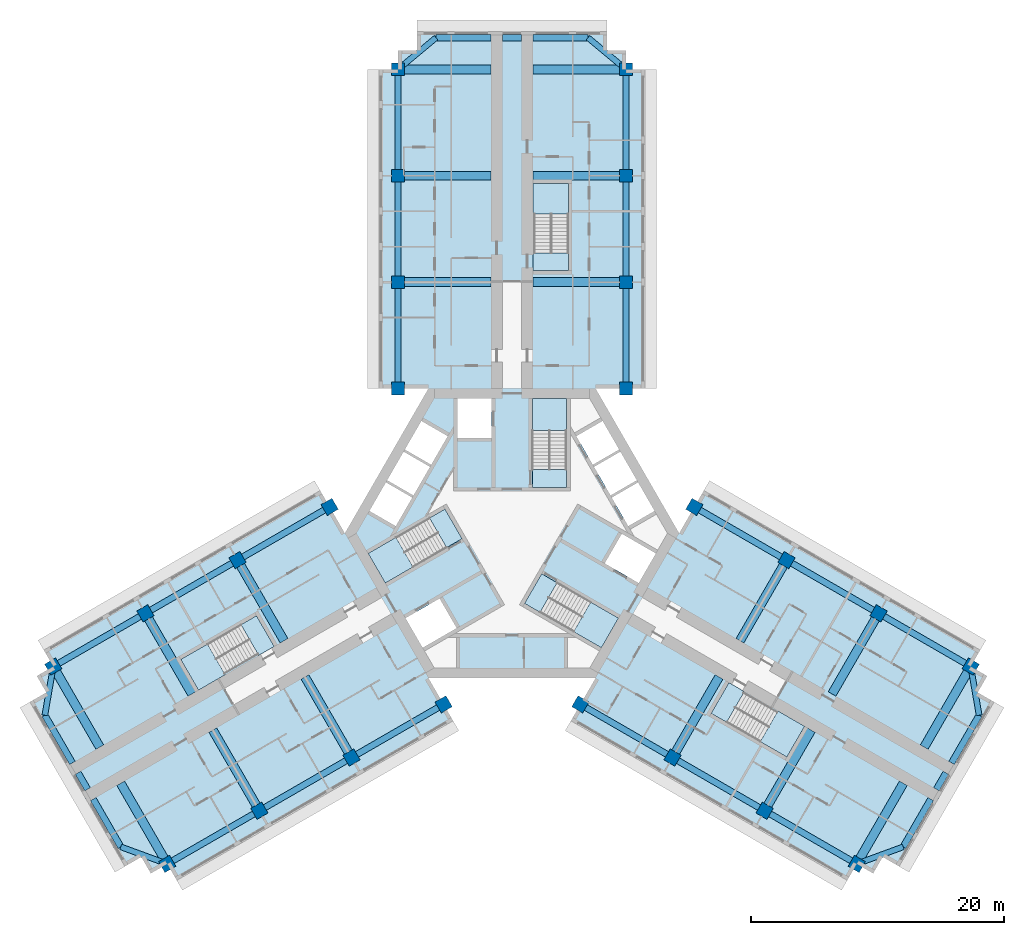
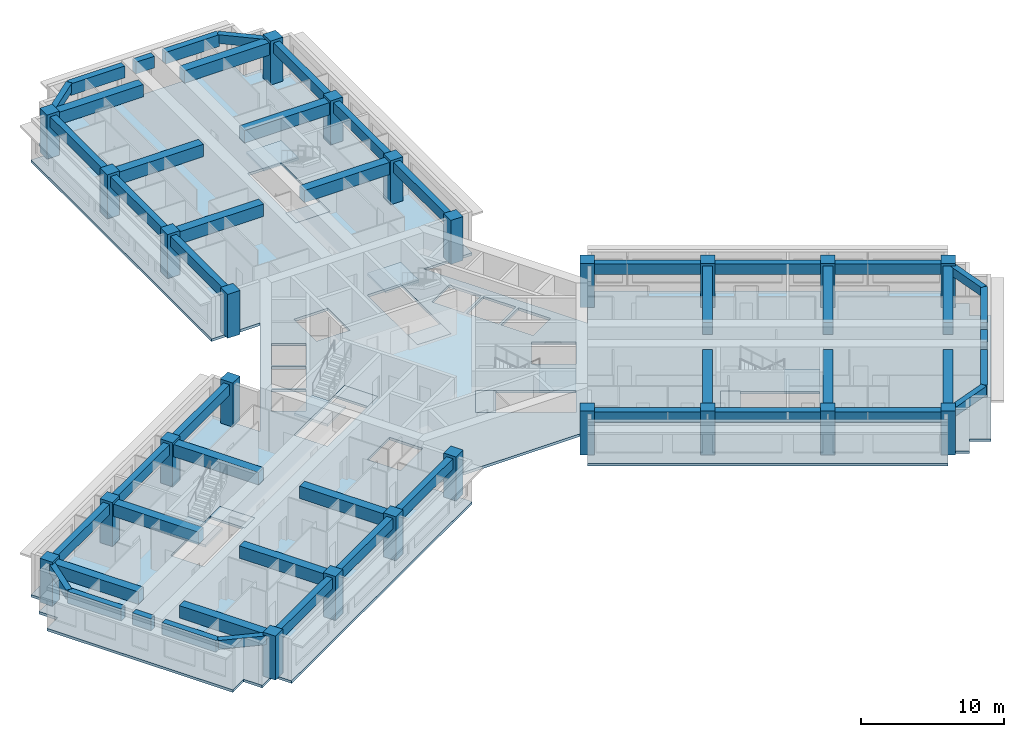
# One storey, part 1 of 12: 51 beams, 24 columns, 13 slabs, 6 elements without a shape of their own.
"""IFC4 building model written with IfcOpenShell, lengths in metres."""

from ifc_helpers import new_model, si_unit, direction, frame, origin, origin_2d, place, context, subcontext, project, spatial, polyline, rectangle, outline, extrude, material, layer, layer_set, material_profile, profile_set, type_object, element, aggregate, save


model = new_model("IFC4")

# Units and contexts
model_context = context("Model", 3, precision=1e-05, world=origin(), true_north=direction((0.0, 1.0)))
body_context = subcontext(model_context, "Body", "Model", "MODEL_VIEW")
ifc_project = project(units=[si_unit("LENGTHUNIT", "METRE"), si_unit("AREAUNIT", "SQUARE_METRE"), si_unit("VOLUMEUNIT", "CUBIC_METRE"), si_unit("PLANEANGLEUNIT", "RADIAN"), si_unit("MASSUNIT", "GRAM", prefix="KILO")], contexts=[model_context])

# Site, building, storey
site_placement = place(None, origin())
site = spatial("IfcSite", under=ifc_project, at=site_placement, CompositionType="ELEMENT")
building_placement = place(site_placement, origin())
building = spatial("IfcBuilding", under=site, at=building_placement, Name="Impinga Residences", CompositionType="ELEMENT")
storey_placement = place(building_placement, frame((0.0, 0.0, 169.75)))
storey = spatial("IfcBuildingStorey", under=building, at=storey_placement, Name="L42", CompositionType="ELEMENT", Elevation=169.75)

# Columns
ifc_material_1 = material(Name="Concrete C60/75", Category="concrete")
ifc_material_profile_1 = material_profile(ifc_material_1, rectangle(XDim=1.0, YDim=1.0, at=origin_2d()), Name="RC 1000x1000")
ifc_profile_set_1 = profile_set([ifc_material_profile_1], Name="Concrete C60/75")
column_type = type_object("IfcColumnType", Name="C3 1000x1000 column", PredefinedType="COLUMN", material=ifc_profile_set_1)
for number, where, z_axis, x_axis, name in (
    (1, (-9.0, 11.431640625, 0.0), (0.0, 0.0, 1.0), (1.0, 0.0, 0.0), "Column C3 N1/NA L42"),
    (2, (9.0, 11.431640625, 0.0), (0.0, 0.0, 1.0), (1.0, 0.0, 0.0), "Column C3 N1/NF L42"),
    (3, (-9.0, 19.83154296875, 0.0), (0.0, 0.0, 1.0), (1.0, 0.0, 0.0), "Column C3 N2/NA L42"),
    (4, (9.0, 19.83154296875, 0.0), (0.0, 0.0, 1.0), (1.0, 0.0, 0.0), "Column C3 N2/NF L42"),
    (5, (-9.0, 28.2314453125, 0.0), (0.0, 0.0, 1.0), (1.0, 0.0, 0.0), "Column C3 N3/NA L42"),
    (6, (9.0, 28.2314453125, 0.0), (0.0, 0.0, 1.0), (1.0, 0.0, 0.0), "Column C3 N3/NF L42"),
    (7, (-9.0, 36.631591796875, 0.0), (0.0, 0.0, 1.0), (1.0, 0.0, 0.0), "Column C3 N4/NA L42"),
    (8, (9.0, 36.631591796875, 0.0), (0.0, 0.0, 1.0), (1.0, 0.0, 0.0), "Column C3 N4/NF L42"),
    (9, (-5.39990234375, -13.510009765625, 0.0), (0.0, 0.0, 1.0), (-0.5, 0.866025403784, 0.0), "Column C3 W1/WA L42"),
    (10, (-14.39990234375, 2.078369140625, 0.0), (0.0, 0.0, 1.0), (-0.5, 0.866025403784, 0.0), "Column C3 W1/WF L42"),
    (11, (-12.674560546875, -17.7099609375, 0.0), (0.0, 0.0, 1.0), (-0.5, 0.866025403784, 0.0), "Column C3 W2/WA L42"),
    (12, (-21.674560546875, -2.12158203125, 0.0), (0.0, 0.0, 1.0), (-0.5, 0.866025403784, 0.0), "Column C3 W2/WF L42"),
    (13, (-19.94921875, -21.909912109375, 0.0), (0.0, 0.0, 1.0), (-0.5, 0.866025403784, 0.0), "Column C3 W3/WA L42"),
    (14, (-28.94921875, -6.321533203125, 0.0), (0.0, 0.0, 1.0), (-0.5, 0.866025403784, 0.0), "Column C3 W3/WF L42"),
    (15, (-27.223876953125, -26.110107421875, 0.0), (0.0, 0.0, 1.0), (-0.5, 0.866025403784, 0.0), "Column C3 W4/WA L42"),
    (16, (-36.223876953125, -10.521484375, 0.0), (0.0, 0.0, 1.0), (-0.5, 0.866025403784, 0.0), "Column C3 W4/WF L42"),
    (17, (14.39990234375, 2.078369140625, 0.0), (0.0, 0.0, 1.0), (-0.5, -0.866025403784, 0.0), "Column C3 E1/EA L42"),
    (18, (5.39990234375, -13.510009765625, 0.0), (0.0, 0.0, 1.0), (-0.5, -0.866025403784, 0.0), "Column C3 E1/EF L42"),
    (19, (21.674560546875, -2.12158203125, 0.0), (0.0, 0.0, 1.0), (-0.5, -0.866025403784, 0.0), "Column C3 E2/EA L42"),
    (20, (12.674560546875, -17.7099609375, 0.0), (0.0, 0.0, 1.0), (-0.5, -0.866025403784, 0.0), "Column C3 E2/EF L42"),
    (21, (28.94921875, -6.321533203125, 0.0), (0.0, 0.0, 1.0), (-0.5, -0.866025403784, 0.0), "Column C3 E3/EA L42"),
    (22, (19.94921875, -21.909912109375, 0.0), (0.0, 0.0, 1.0), (-0.5, -0.866025403784, 0.0), "Column C3 E3/EF L42"),
    (23, (36.223876953125, -10.521484375, 0.0), (0.0, 0.0, 1.0), (-0.5, -0.866025403784, 0.0), "Column C3 E4/EA L42"),
    (24, (27.223876953125, -26.110107421875, 0.0), (0.0, 0.0, 1.0), (-0.5, -0.866025403784, 0.0), "Column C3 E4/EF L42"),
):
    element("IfcColumn", number, at=place(storey_placement, frame(where, z_axis=z_axis, x_axis=x_axis)), inside=storey, type_object=column_type, Name=name, PredefinedType="COLUMN", context=body_context, shape_type="SweptSolid", body=[
        extrude(rectangle(XDim=1.0, YDim=1.0, at=origin_2d()), origin(), (0.0, 0.0, 1.0), 3.75),
    ])

# Beams
ifc_material_profile_2 = material_profile(ifc_material_1, rectangle(XDim=0.449951171875, YDim=0.75, at=origin_2d()), Name="RC 450x750")
ifc_profile_set_2 = profile_set([ifc_material_profile_2], Name="Concrete C60/75")
beam_type_1 = type_object("IfcBeamType", Name="CB1 450x750 wing end cantilever beam", PredefinedType="BEAM", material=ifc_profile_set_2)
for number, where, z_axis, x_axis, name in (
    (25, (-9.0, 36.631591796875, 3.155029296875), (0.768221279597, 0.640184399664, 0.0), (-0.640184399664, 0.768221279597, 0.0), "Beam CB1 NB N4-NX level L43"),
    (26, (9.0, 36.631591796875, 3.155029296875), (-0.768221279597, 0.640184399664, 0.0), (-0.640184399664, -0.768221279597, 0.0), "Beam CB1 NE N4-NX level L43"),
    (27, (-27.223876953125, -26.110107421875, 3.155029296875), (-0.938520178725, 0.345224382289, 0.0), (-0.345224382289, -0.938520178725, 0.0), "Beam CB1 WB W4-WX level L43"),
):
    element("IfcBeam", number, at=place(storey_placement, frame(where, z_axis=z_axis, x_axis=x_axis)), inside=storey, type_object=beam_type_1, Name=name, PredefinedType="BEAM", context=body_context, shape_type="SweptSolid", body=[
        extrude(rectangle(XDim=0.449951171875, YDim=0.75, at=origin_2d()), origin(), (0.0, 0.0, 1.0), 3.905029296875),
    ])
for number, where, z_axis, x_axis, name in (
    (28, (-36.223876953125, -10.521484375, 3.155029296875), (-0.170296298948, -0.985392901621, 0.0), (0.985392901621, -0.170296298948, 0.0), "Beam CB1 WE W4-WX level L43"),
    (29, (36.223876953125, -10.521484375, 3.155029296875), (0.170296298948, -0.985392901621, 0.0), (0.985392901621, 0.170296298948, 0.0), "Beam CB1 EB E4-EX level L43"),
):
    element("IfcBeam", number, at=place(storey_placement, frame(where, z_axis=z_axis, x_axis=x_axis)), inside=storey, type_object=beam_type_1, Name=name, PredefinedType="BEAM", context=body_context, shape_type="SweptSolid", body=[
        extrude(rectangle(XDim=0.449951171875, YDim=0.75, at=origin_2d()), origin(), (0.0, 0.0, 1.0), 3.9052734375),
    ])
beam_1_placement = place(storey_placement, frame((27.223876953125, -26.110107421875, 3.155029296875), z_axis=(0.938520178725, 0.345224382289, 0.0), x_axis=(-0.345224382289, 0.938520178725, 0.0)))
element("IfcBeam", 30, at=beam_1_placement, inside=storey, type_object=beam_type_1, Name="Beam CB1 EE E4-EX level L43", PredefinedType="BEAM", context=body_context, shape_type="SweptSolid", body=[
    extrude(rectangle(XDim=0.449951171875, YDim=0.75, at=origin_2d()), origin(), (0.0, 0.0, 1.0), 3.905029296875),
])
ifc_material_profile_3 = material_profile(ifc_material_1, rectangle(XDim=0.699951171875, YDim=1.050048828125, at=origin_2d()), Name="RC 700x1050")
ifc_profile_set_3 = profile_set([ifc_material_profile_3], Name="Concrete C60/75")
beam_type_2 = type_object("IfcBeamType", Name="CG1 700x1050 cross girder on a wing bay line", PredefinedType="BEAM", material=ifc_profile_set_3)
for number, where, z_axis, x_axis, name in (
    (31, (-1.64990234375, 19.83154296875, 3.0048828125), (-1.0, 0.0, 0.0), (0.0, -1.0, 0.0), "Beam CG1 N2 NC/NA level L43"),
    (32, (-1.64990234375, 28.2314453125, 3.0048828125), (-1.0, 0.0, 0.0), (0.0, -1.0, 0.0), "Beam CG1 N3 NC/NA level L43"),
    (33, (-1.64990234375, 36.631591796875, 3.0048828125), (-1.0, 0.0, 0.0), (0.0, -1.0, 0.0), "Beam CG1 N4 NC/NA level L43"),
    (34, (1.64990234375, 19.83154296875, 3.0048828125), (1.0, 0.0, 0.0), (0.0, 1.0, 0.0), "Beam CG1 N2 NC/NF level L43"),
    (35, (1.64990234375, 28.2314453125, 3.0048828125), (1.0, 0.0, 0.0), (0.0, 1.0, 0.0), "Beam CG1 N3 NC/NF level L43"),
    (36, (1.64990234375, 36.631591796875, 3.0048828125), (1.0, 0.0, 0.0), (0.0, 1.0, 0.0), "Beam CG1 N4 NC/NF level L43"),
    (37, (-16.349609375, -11.3447265625, 3.0048828125), (0.500008066151, -0.86602074674, 0.0), (0.86602074674, 0.500008066151, 0.0), "Beam CG1 W2 WC/WA level L43"),
    (38, (-23.624267578125, -15.544677734375, 3.0048828125), (0.500008066151, -0.86602074674, 0.0), (0.86602074674, 0.500008066151, 0.0), "Beam CG1 W3 WC/WA level L43"),
    (39, (-30.89892578125, -19.74462890625, 3.0048828125), (0.499993683172, -0.866029050776, 0.0), (0.866029050776, 0.499993683172, 0.0), "Beam CG1 W4 WC/WA level L43"),
    (40, (-17.99951171875, -8.48681640625, 3.0048828125), (-0.500008066151, 0.86602074674, 0.0), (-0.86602074674, -0.500008066151, 0.0), "Beam CG1 W2 WC/WF level L43"),
    (41, (-25.274169921875, -12.686767578125, 3.0048828125), (-0.500008066151, 0.86602074674, 0.0), (-0.86602074674, -0.500008066151, 0.0), "Beam CG1 W3 WC/WF level L43"),
    (42, (-32.548828125, -16.88671875, 3.0048828125), (-0.500008066151, 0.86602074674, 0.0), (-0.86602074674, -0.500008066151, 0.0), "Beam CG1 W4 WC/WF level L43"),
    (43, (17.99951171875, -8.48681640625, 3.0048828125), (0.500008066151, 0.86602074674, 0.0), (-0.86602074674, 0.500008066151, 0.0), "Beam CG1 E2 EC/EA level L43"),
    (44, (25.274169921875, -12.686767578125, 3.0048828125), (0.500008066151, 0.86602074674, 0.0), (-0.86602074674, 0.500008066151, 0.0), "Beam CG1 E3 EC/EA level L43"),
    (45, (32.548828125, -16.88671875, 3.0048828125), (0.500008066151, 0.86602074674, 0.0), (-0.86602074674, 0.500008066151, 0.0), "Beam CG1 E4 EC/EA level L43"),
    (46, (16.349609375, -11.3447265625, 3.0048828125), (-0.500008066151, -0.86602074674, 0.0), (0.86602074674, -0.500008066151, 0.0), "Beam CG1 E2 EC/EF level L43"),
    (47, (23.624267578125, -15.544677734375, 3.0048828125), (-0.500008066151, -0.86602074674, 0.0), (0.86602074674, -0.500008066151, 0.0), "Beam CG1 E3 EC/EF level L43"),
    (48, (30.89892578125, -19.74462890625, 3.0048828125), (-0.499993683172, -0.866029050776, 0.0), (0.866029050776, -0.499993683172, 0.0), "Beam CG1 E4 EC/EF level L43"),
):
    element("IfcBeam", number, at=place(storey_placement, frame(where, z_axis=z_axis, x_axis=x_axis)), inside=storey, type_object=beam_type_2, Name=name, PredefinedType="BEAM", context=body_context, shape_type="SweptSolid", body=[
        extrude(rectangle(XDim=0.699951171875, YDim=1.050048828125, at=origin_2d()), origin(), (0.0, 0.0, 1.0), 7.35009765625),
    ])
ifc_material_profile_4 = material_profile(ifc_material_1, rectangle(XDim=0.5, YDim=1.0, at=origin_2d()), Name="RC 500x1000")
ifc_profile_set_4 = profile_set([ifc_material_profile_4], Name="Concrete C60/75")
beam_type_3 = type_object("IfcBeamType", Name="EB1 500x1000 wing end beam", PredefinedType="BEAM", material=ifc_profile_set_4)
beam_2_placement = place(storey_placement, frame((-6.0, 39.131591796875, 3.030029296875), z_axis=(1.0, 0.0, 0.0), x_axis=(0.0, 1.0, 0.0)))
element("IfcBeam", 49, at=beam_2_placement, inside=storey, type_object=beam_type_3, Name="Beam EB1 NX3 level L43", PredefinedType="BEAM", context=body_context, shape_type="SweptSolid", body=[
    extrude(rectangle(XDim=0.5, YDim=1.0, at=origin_2d()), origin(), (0.0, 0.0, 1.0), 4.35009765625),
])
beam_3_placement = place(storey_placement, frame((-0.75, 39.131591796875, 3.030029296875), z_axis=(1.0, 0.0, 0.0), x_axis=(0.0, 1.0, 0.0)))
element("IfcBeam", 50, at=beam_3_placement, inside=storey, type_object=beam_type_3, Name="Beam EB1 NX3 level L43", PredefinedType="BEAM", context=body_context, shape_type="SweptSolid", body=[
    extrude(rectangle(XDim=0.5, YDim=1.0, at=origin_2d()), origin(), (0.0, 0.0, 1.0), 1.5),
])
for number, where, z_axis, x_axis, name in (
    (51, (1.64990234375, 39.131591796875, 3.030029296875), (1.0, 0.0, 0.0), (0.0, 1.0, 0.0), "Beam EB1 NX3 level L43"),
    (52, (-30.888916015625, -24.761962890625, 3.030029296875), (-0.499996127374, 0.866027639635, 0.0), (-0.866027639635, -0.499996127374, 0.0), "Beam EB1 WX3 level L43"),
):
    element("IfcBeam", number, at=place(storey_placement, frame(where, z_axis=z_axis, x_axis=x_axis)), inside=storey, type_object=beam_type_3, Name=name, PredefinedType="BEAM", context=body_context, shape_type="SweptSolid", body=[
        extrude(rectangle(XDim=0.5, YDim=1.0, at=origin_2d()), origin(), (0.0, 0.0, 1.0), 4.35009765625),
    ])
beam_4_placement = place(storey_placement, frame((-33.513916015625, -20.21533203125, 3.030029296875), z_axis=(-0.499990139034, 0.866031096941, 0.0), x_axis=(-0.866031096941, -0.499990139034, 0.0)))
element("IfcBeam", 53, at=beam_4_placement, inside=storey, type_object=beam_type_3, Name="Beam EB1 WX3 level L43", PredefinedType="BEAM", context=body_context, shape_type="SweptSolid", body=[
    extrude(rectangle(XDim=0.5, YDim=1.0, at=origin_2d()), origin(), (0.0, 0.0, 1.0), 1.5),
])
for number, where, z_axis, x_axis, name in (
    (54, (-34.7138671875, -18.13671875, 3.030029296875), (-0.500020430026, 0.866013608182, 0.0), (-0.866013608182, -0.500020430026, 0.0), "Beam EB1 WX3 level L43"),
    (55, (36.888916015625, -14.36962890625, 3.030029296875), (-0.500020430026, -0.866013608182, 0.0), (0.866013608182, -0.500020430026, 0.0), "Beam EB1 EX3 level L43"),
):
    element("IfcBeam", number, at=place(storey_placement, frame(where, z_axis=z_axis, x_axis=x_axis)), inside=storey, type_object=beam_type_3, Name=name, PredefinedType="BEAM", context=body_context, shape_type="SweptSolid", body=[
        extrude(rectangle(XDim=0.5, YDim=1.0, at=origin_2d()), origin(), (0.0, 0.0, 1.0), 4.349853515625),
    ])
beam_5_placement = place(storey_placement, frame((34.263916015625, -18.916259765625, 3.030029296875), z_axis=(-0.499990139034, -0.866031096941, 0.0), x_axis=(0.866031096941, -0.499990139034, 0.0)))
element("IfcBeam", 56, at=beam_5_placement, inside=storey, type_object=beam_type_3, Name="Beam EB1 EX3 level L43", PredefinedType="BEAM", context=body_context, shape_type="SweptSolid", body=[
    extrude(rectangle(XDim=0.5, YDim=1.0, at=origin_2d()), origin(), (0.0, 0.0, 1.0), 1.5),
])
beam_6_placement = place(storey_placement, frame((33.06396484375, -20.99462890625, 3.030029296875), z_axis=(-0.499996127374, -0.866027639635, 0.0), x_axis=(0.866027639635, -0.499996127374, 0.0)))
element("IfcBeam", 57, at=beam_6_placement, inside=storey, type_object=beam_type_3, Name="Beam EB1 EX3 level L43", PredefinedType="BEAM", context=body_context, shape_type="SweptSolid", body=[
    extrude(rectangle(XDim=0.5, YDim=1.0, at=origin_2d()), origin(), (0.0, 0.0, 1.0), 4.35009765625),
])
ifc_material_profile_5 = material_profile(ifc_material_1, rectangle(XDim=0.5, YDim=0.89990234375, at=origin_2d()), Name="RC 500x900")
ifc_profile_set_5 = profile_set([ifc_material_profile_5], Name="Concrete C60/75")
beam_type_4 = type_object("IfcBeamType", Name="SB1 500x900 perimeter spandrel beam", PredefinedType="SPANDREL", material=ifc_profile_set_5)
for number, where, z_axis, x_axis, name in (
    (58, (-9.0, 11.431640625, 3.080078125), (0.0, 1.0, 0.0), (-1.0, 0.0, 0.0), "Beam SB1 NA N1-N2 level L43"),
    (59, (-9.0, 19.83154296875, 3.080078125), (0.0, 1.0, 0.0), (-1.0, 0.0, 0.0), "Beam SB1 NA N2-N3 level L43"),
):
    element("IfcBeam", number, at=place(storey_placement, frame(where, z_axis=z_axis, x_axis=x_axis)), inside=storey, type_object=beam_type_4, Name=name, PredefinedType="SPANDREL", context=body_context, shape_type="SweptSolid", body=[
        extrude(rectangle(XDim=0.5, YDim=0.89990234375, at=origin_2d()), origin(), (0.0, 0.0, 1.0), 8.39990234375),
    ])
beam_7_placement = place(storey_placement, frame((-9.0, 28.2314453125, 3.080078125), z_axis=(0.0, 1.0, 0.0), x_axis=(-1.0, 0.0, 0.0)))
element("IfcBeam", 60, at=beam_7_placement, inside=storey, type_object=beam_type_4, Name="Beam SB1 NA N3-N4 level L43", PredefinedType="SPANDREL", context=body_context, shape_type="SweptSolid", body=[
    extrude(rectangle(XDim=0.5, YDim=0.89990234375, at=origin_2d()), origin(), (0.0, 0.0, 1.0), 8.400146484375),
])
for number, where, z_axis, x_axis, name in (
    (61, (9.0, 11.431640625, 3.080078125), (0.0, 1.0, 0.0), (-1.0, 0.0, 0.0), "Beam SB1 NF N1-N2 level L43"),
    (62, (9.0, 19.83154296875, 3.080078125), (0.0, 1.0, 0.0), (-1.0, 0.0, 0.0), "Beam SB1 NF N2-N3 level L43"),
):
    element("IfcBeam", number, at=place(storey_placement, frame(where, z_axis=z_axis, x_axis=x_axis)), inside=storey, type_object=beam_type_4, Name=name, PredefinedType="SPANDREL", context=body_context, shape_type="SweptSolid", body=[
        extrude(rectangle(XDim=0.5, YDim=0.89990234375, at=origin_2d()), origin(), (0.0, 0.0, 1.0), 8.39990234375),
    ])
beam_8_placement = place(storey_placement, frame((9.0, 28.2314453125, 3.080078125), z_axis=(0.0, 1.0, 0.0), x_axis=(-1.0, 0.0, 0.0)))
element("IfcBeam", 63, at=beam_8_placement, inside=storey, type_object=beam_type_4, Name="Beam SB1 NF N3-N4 level L43", PredefinedType="SPANDREL", context=body_context, shape_type="SweptSolid", body=[
    extrude(rectangle(XDim=0.5, YDim=0.89990234375, at=origin_2d()), origin(), (0.0, 0.0, 1.0), 8.400146484375),
])
for number, where, z_axis, x_axis, name in (
    (64, (-5.39990234375, -13.510009765625, 3.080078125), (-0.86602925447, -0.499993330357, 0.0), (0.499993330357, -0.86602925447, 0.0), "Beam SB1 WA W1-W2 level L43"),
    (65, (-12.674560546875, -17.7099609375, 3.080078125), (-0.86602925447, -0.499993330357, 0.0), (0.499993330357, -0.86602925447, 0.0), "Beam SB1 WA W2-W3 level L43"),
):
    element("IfcBeam", number, at=place(storey_placement, frame(where, z_axis=z_axis, x_axis=x_axis)), inside=storey, type_object=beam_type_4, Name=name, PredefinedType="SPANDREL", context=body_context, shape_type="SweptSolid", body=[
        extrude(rectangle(XDim=0.5, YDim=0.89990234375, at=origin_2d()), origin(), (0.0, 0.0, 1.0), 8.39990234375),
    ])
beam_9_placement = place(storey_placement, frame((-19.94921875, -21.909912109375, 3.080078125), z_axis=(-0.866016669275, -0.500015128309, 0.0), x_axis=(0.500015128309, -0.866016669275, 0.0)))
element("IfcBeam", 66, at=beam_9_placement, inside=storey, type_object=beam_type_4, Name="Beam SB1 WA W3-W4 level L43", PredefinedType="SPANDREL", context=body_context, shape_type="SweptSolid", body=[
    extrude(rectangle(XDim=0.5, YDim=0.89990234375, at=origin_2d()), origin(), (0.0, 0.0, 1.0), 8.400146484375),
])
for number, where, z_axis, x_axis, name in (
    (67, (-14.39990234375, 2.078369140625, 3.080078125), (-0.86602925447, -0.499993330357, 0.0), (0.499993330357, -0.86602925447, 0.0), "Beam SB1 WF W1-W2 level L43"),
    (68, (-21.674560546875, -2.12158203125, 3.080078125), (-0.86602925447, -0.499993330357, 0.0), (0.499993330357, -0.86602925447, 0.0), "Beam SB1 WF W2-W3 level L43"),
    (69, (-28.94921875, -6.321533203125, 3.080078125), (-0.86602925447, -0.499993330357, 0.0), (0.499993330357, -0.86602925447, 0.0), "Beam SB1 WF W3-W4 level L43"),
    (70, (14.39990234375, 2.078369140625, 3.080078125), (0.86602925447, -0.499993330357, 0.0), (0.499993330357, 0.86602925447, 0.0), "Beam SB1 EA E1-E2 level L43"),
    (71, (21.674560546875, -2.12158203125, 3.080078125), (0.86602925447, -0.499993330357, 0.0), (0.499993330357, 0.86602925447, 0.0), "Beam SB1 EA E2-E3 level L43"),
    (72, (28.94921875, -6.321533203125, 3.080078125), (0.86602925447, -0.499993330357, 0.0), (0.499993330357, 0.86602925447, 0.0), "Beam SB1 EA E3-E4 level L43"),
    (73, (5.39990234375, -13.510009765625, 3.080078125), (0.86602925447, -0.499993330357, 0.0), (0.499993330357, 0.86602925447, 0.0), "Beam SB1 EF E1-E2 level L43"),
    (74, (12.674560546875, -17.7099609375, 3.080078125), (0.86602925447, -0.499993330357, 0.0), (0.499993330357, 0.86602925447, 0.0), "Beam SB1 EF E2-E3 level L43"),
):
    element("IfcBeam", number, at=place(storey_placement, frame(where, z_axis=z_axis, x_axis=x_axis)), inside=storey, type_object=beam_type_4, Name=name, PredefinedType="SPANDREL", context=body_context, shape_type="SweptSolid", body=[
        extrude(rectangle(XDim=0.5, YDim=0.89990234375, at=origin_2d()), origin(), (0.0, 0.0, 1.0), 8.39990234375),
    ])
beam_10_placement = place(storey_placement, frame((19.94921875, -21.909912109375, 3.080078125), z_axis=(0.866016669275, -0.500015128309, 0.0), x_axis=(0.500015128309, 0.866016669275, 0.0)))
element("IfcBeam", 75, at=beam_10_placement, inside=storey, type_object=beam_type_4, Name="Beam SB1 EF E3-E4 level L43", PredefinedType="SPANDREL", context=body_context, shape_type="SweptSolid", body=[
    extrude(rectangle(XDim=0.5, YDim=0.89990234375, at=origin_2d()), origin(), (0.0, 0.0, 1.0), 8.400146484375),
])

# Slab
ifc_layer_1 = layer(ifc_material_1, 0.219970703125)
ifc_layer_set_1 = layer_set([ifc_layer_1], Name="Concrete C60/75")
slab_type_1 = type_object("IfcSlabType", Name="FS1 tower floor slab 220", PredefinedType="FLOOR", material=ifc_layer_set_1)
slab_1_placement = place(storey_placement, frame((0.0, 0.0, -0.219970703125)))
element("IfcSlab", 76, at=slab_1_placement, inside=storey, type_object=slab_type_1, Name="Floor slab FS1 L42", PredefinedType="FLOOR", context=body_context, shape_type="SweptSolid", body=[
    extrude(outline(polyline([(-27.223876953125, -26.110107421875), (-28.52294921875, -26.860107421875), (-29.27294921875, -25.56103515625), (-30.572021484375, -26.31103515625), (-38.072021484375, -13.320556640625), (-36.77294921875, -12.570556640625), (-37.52294921875, -11.271484375), (-36.223876953125, -10.521484375), (-36.973876953125, -9.222412109375), (-15.14990234375, 3.37744140625), (-13.199951171875, 0.0), (-6.60009765625, 11.431640625), (-10.5, 11.431640625), (-10.5, 36.631591796875), (-9.0, 36.631591796875), (-9.0, 38.131591796875), (-7.5, 38.131591796875), (-7.5, 39.631591796875), (7.5, 39.631591796875), (7.5, 38.131591796875), (9.0, 38.131591796875), (9.0, 36.631591796875), (10.5, 36.631591796875), (10.5, 11.431640625), (6.60009765625, 11.431640625), (13.199951171875, 0.0), (15.14990234375, 3.37744140625), (36.973876953125, -9.222412109375), (36.223876953125, -10.521484375), (37.52294921875, -11.271484375), (36.77294921875, -12.570556640625), (38.072021484375, -13.320556640625), (30.572021484375, -26.31103515625), (29.27294921875, -25.56103515625), (28.52294921875, -26.860107421875), (27.223876953125, -26.110107421875), (26.473876953125, -27.408935546875), (4.64990234375, -14.80908203125), (9.900146484375, -5.7158203125), (6.60009765625, -11.431640625), (-6.60009765625, -11.431640625), (-9.900146484375, -5.7158203125), (-4.64990234375, -14.80908203125), (-26.473876953125, -27.408935546875), (-27.223876953125, -26.110107421875)]), holes=[polyline([(-18.779052734375, -8.936767578125), (-18.8291015625, -8.850341796875), (-18.8291015625, -8.850341796875), (-20.178955078125, -6.511962890625), (-21.391357421875, -7.2119140625), (-21.391357421875, -7.2119140625), (-26.154541015625, -9.9619140625), (-24.8046875, -12.30029296875), (-20.04150390625, -9.55029296875), (-19.991455078125, -9.63671875), (-18.779052734375, -8.936767578125)]), polyline([(-4.37109375, -7.489013671875), (-5.72119140625, -5.150634765625), (-8.4072265625, -6.701416015625), (-7.05712890625, -9.039794921875), (-4.37109375, -7.489013671875)]), polyline([(-3.943603515625, -0.429443359375), (-5.293701171875, 1.908935546875), (-11.357177734375, -1.591796875), (-10.007080078125, -3.93017578125), (-3.943603515625, -0.429443359375)]), polyline([(-7.878662109375, 2.816650390625), (-9.957275390625, 4.016845703125), (-11.257080078125, 1.76513671875), (-9.1787109375, 0.56494140625), (-7.878662109375, 2.816650390625)]), polyline([(-6.478759765625, 5.24169921875), (-8.55712890625, 6.441650390625), (-9.857177734375, 4.18994140625), (-7.77880859375, 2.989990234375), (-6.478759765625, 5.24169921875)]), polyline([(4.300048828125, 3.6298828125), (4.300048828125, 10.631591796875), (1.60009765625, 10.631591796875), (1.60009765625, 3.6298828125), (4.300048828125, 3.6298828125)]), polyline([(-6.378662109375, 5.414794921875), (-5.07861328125, 7.66650390625), (-7.1572265625, 8.866455078125), (-8.457275390625, 6.61474609375), (-6.378662109375, 5.414794921875)]), polyline([(-4.300048828125, 7.530029296875), (-1.60009765625, 7.530029296875), (-1.60009765625, 10.631591796875), (-4.300048828125, 10.631591796875), (-4.300048828125, 7.530029296875)]), polyline([(4.449951171875, 20.7314453125), (4.449951171875, 22.131591796875), (4.449951171875, 27.631591796875), (1.75, 27.631591796875), (1.75, 22.131591796875), (1.64990234375, 22.131591796875), (1.64990234375, 20.7314453125), (1.75, 20.7314453125), (4.449951171875, 20.7314453125)]), polyline([(15.72900390625, -14.219482421875), (21.70458984375, -17.669677734375), (23.0546875, -15.331298828125), (18.29150390625, -12.581298828125), (18.341552734375, -12.49462890625), (17.129150390625, -11.794677734375), (15.72900390625, -14.219482421875)]), polyline([(2.34375, -3.20068359375), (0.99365234375, -5.538818359375), (7.05712890625, -9.039794921875), (8.4072265625, -6.701416015625), (2.34375, -3.20068359375)]), polyline([(7.3212890625, -2.37939453125), (10.007080078125, -3.93017578125), (11.357177734375, -1.591796875), (8.671142578125, -0.041015625), (7.3212890625, -2.37939453125)]), polyline([(7.878662109375, 2.816650390625), (9.1787109375, 0.56494140625), (11.257080078125, 1.76513671875), (9.957275390625, 4.016845703125), (7.878662109375, 2.816650390625)]), polyline([(6.478759765625, 5.24169921875), (7.77880859375, 2.989990234375), (9.857177734375, 4.18994140625), (8.55712890625, 6.441650390625), (6.478759765625, 5.24169921875)]), polyline([(6.378662109375, 5.414794921875), (8.457275390625, 6.61474609375), (7.1572265625, 8.866455078125), (5.07861328125, 7.66650390625), (6.378662109375, 5.414794921875)])]), origin(), (0.0, 0.0, 1.0), 0.219970703125),
])

# Stair, slabs
ifc_material_2 = material(Name="Concrete C40/50", Category="concrete")
stair_type_1 = type_object("IfcStairType", Name="STR core stair 3750 storey, 24 risers", PredefinedType="HALF_TURN_STAIR", material=ifc_material_2)
stair_1_placement = place(storey_placement, origin())
stair_1 = element("IfcStair", 77, at=stair_1_placement, inside=storey, type_object=stair_type_1, Name="Stair ST1 L42", PredefinedType="HALF_TURN_STAIR")
ifc_layer_2 = layer(ifc_material_2, 0.199951171875)
ifc_layer_set_2 = layer_set([ifc_layer_2], Name="Concrete C40/50")
slab_type_2 = type_object("IfcSlabType", Name="LS1 stair landing 200", PredefinedType="LANDING", material=ifc_layer_set_2)
slab_2_placement = place(storey_placement, frame((0.0, 0.0, -0.199951171875)))
slab_2 = element("IfcSlab", 78, at=slab_2_placement, type_object=slab_type_2, Name="ST1 landing 1", PredefinedType="LANDING", context=body_context, shape_type="SweptSolid", body=[
    extrude(outline(polyline([(1.60009765625, 3.6298828125), (4.300048828125, 3.6298828125), (4.300048828125, 5.0400390625), (1.60009765625, 5.0400390625), (1.60009765625, 3.6298828125)])), origin(), (0.0, 0.0, 1.0), 0.199951171875),
])
slab_3_placement = place(storey_placement, frame((0.0, 0.0, 1.675048828125)))
slab_3 = element("IfcSlab", 79, at=slab_3_placement, type_object=slab_type_2, Name="ST1 landing 2", PredefinedType="LANDING", context=body_context, shape_type="SweptSolid", body=[
    extrude(outline(polyline([(1.60009765625, 8.10009765625), (4.300048828125, 8.10009765625), (4.300048828125, 10.631591796875), (1.60009765625, 10.631591796875), (1.60009765625, 8.10009765625)])), origin(), (0.0, 0.0, 1.0), 0.199951171875),
])
aggregate(stair_1, [slab_2, slab_3])

stair_2_placement = place(storey_placement, origin())
stair_2 = element("IfcStair", 80, at=stair_2_placement, inside=storey, type_object=stair_type_1, Name="Stair ST2 L42", PredefinedType="HALF_TURN_STAIR")
slab_4_placement = place(storey_placement, frame((0.0, 0.0, -0.199951171875)))
slab_4 = element("IfcSlab", 81, at=slab_4_placement, type_object=slab_type_2, Name="ST2 landing 1", PredefinedType="LANDING", context=body_context, shape_type="SweptSolid", body=[
    extrude(outline(polyline([(-3.943603515625, -0.429443359375), (-5.293701171875, 1.908935546875), (-6.5146484375, 1.203857421875), (-5.164794921875, -1.13427734375), (-3.943603515625, -0.429443359375)])), origin(), (0.0, 0.0, 1.0), 0.199951171875),
])
slab_5_placement = place(storey_placement, frame((0.0, 0.0, 1.675048828125)))
slab_5 = element("IfcSlab", 82, at=slab_5_placement, type_object=slab_type_2, Name="ST2 landing 2", PredefinedType="LANDING", context=body_context, shape_type="SweptSolid", body=[
    extrude(outline(polyline([(-7.814697265625, -2.664306640625), (-9.164794921875, -0.326171875), (-11.357177734375, -1.591796875), (-10.007080078125, -3.93017578125), (-7.814697265625, -2.664306640625)])), origin(), (0.0, 0.0, 1.0), 0.199951171875),
])
aggregate(stair_2, [slab_4, slab_5])

stair_3_placement = place(storey_placement, origin())
stair_3 = element("IfcStair", 83, at=stair_3_placement, inside=storey, type_object=stair_type_1, Name="Stair ST3 L42", PredefinedType="HALF_TURN_STAIR")
slab_6_placement = place(storey_placement, frame((0.0, 0.0, -0.199951171875)))
slab_6 = element("IfcSlab", 84, at=slab_6_placement, type_object=slab_type_2, Name="ST3 landing 1", PredefinedType="LANDING", context=body_context, shape_type="SweptSolid", body=[
    extrude(outline(polyline([(2.34375, -3.20068359375), (0.99365234375, -5.538818359375), (2.21484375, -6.243896484375), (3.564697265625, -3.90576171875), (2.34375, -3.20068359375)])), origin(), (0.0, 0.0, 1.0), 0.199951171875),
])
slab_7_placement = place(storey_placement, frame((0.0, 0.0, 1.675048828125)))
slab_7 = element("IfcSlab", 85, at=slab_7_placement, type_object=slab_type_2, Name="ST3 landing 2", PredefinedType="LANDING", context=body_context, shape_type="SweptSolid", body=[
    extrude(outline(polyline([(6.21484375, -5.435546875), (4.86474609375, -7.77392578125), (7.05712890625, -9.039794921875), (8.4072265625, -6.701416015625), (6.21484375, -5.435546875)])), origin(), (0.0, 0.0, 1.0), 0.199951171875),
])
aggregate(stair_3, [slab_6, slab_7])

stair_type_2 = type_object("IfcStairType", Name="STR wing stair 3750 storey, 24 risers", PredefinedType="HALF_TURN_STAIR", material=ifc_material_2)
stair_4_placement = place(storey_placement, origin())
stair_4 = element("IfcStair", 86, at=stair_4_placement, inside=storey, type_object=stair_type_2, Name="Stair WS1 L42", PredefinedType="HALF_TURN_STAIR")
slab_8_placement = place(storey_placement, frame((0.0, 0.0, -0.199951171875)))
slab_8 = element("IfcSlab", 87, at=slab_8_placement, type_object=slab_type_2, Name="WS1 landing 1", PredefinedType="LANDING", context=body_context, shape_type="SweptSolid", body=[
    extrude(outline(polyline([(1.64990234375, 20.7314453125), (4.449951171875, 20.7314453125), (4.449951171875, 22.1416015625), (1.64990234375, 22.1416015625), (1.64990234375, 20.7314453125)])), origin(), (0.0, 0.0, 1.0), 0.199951171875),
])
slab_9_placement = place(storey_placement, frame((0.0, 0.0, 1.675048828125)))
slab_9 = element("IfcSlab", 88, at=slab_9_placement, type_object=slab_type_2, Name="WS1 landing 2", PredefinedType="LANDING", context=body_context, shape_type="SweptSolid", body=[
    extrude(outline(polyline([(1.64990234375, 25.201416015625), (4.449951171875, 25.201416015625), (4.449951171875, 27.631591796875), (1.64990234375, 27.631591796875), (1.64990234375, 25.201416015625)])), origin(), (0.0, 0.0, 1.0), 0.199951171875),
])
aggregate(stair_4, [slab_8, slab_9])

stair_5_placement = place(storey_placement, origin())
stair_5 = element("IfcStair", 89, at=stair_5_placement, inside=storey, type_object=stair_type_2, Name="Stair WS2 L42", PredefinedType="HALF_TURN_STAIR")
slab_10_placement = place(storey_placement, frame((0.0, 0.0, -0.199951171875)))
slab_10 = element("IfcSlab", 90, at=slab_10_placement, type_object=slab_type_2, Name="WS2 landing 1", PredefinedType="LANDING", context=body_context, shape_type="SweptSolid", body=[
    extrude(outline(polyline([(-18.779052734375, -8.936767578125), (-20.178955078125, -6.511962890625), (-21.400146484375, -7.217041015625), (-20.000244140625, -9.641845703125), (-18.779052734375, -8.936767578125)])), origin(), (0.0, 0.0, 1.0), 0.199951171875),
])
slab_11_placement = place(storey_placement, frame((0.0, 0.0, 1.675048828125)))
slab_11 = element("IfcSlab", 91, at=slab_11_placement, type_object=slab_type_2, Name="WS2 landing 2", PredefinedType="LANDING", context=body_context, shape_type="SweptSolid", body=[
    extrude(outline(polyline([(-22.650146484375, -11.171875), (-24.050048828125, -8.7470703125), (-26.154541015625, -9.9619140625), (-24.754638671875, -12.38671875), (-22.650146484375, -11.171875)])), origin(), (0.0, 0.0, 1.0), 0.199951171875),
])
aggregate(stair_5, [slab_10, slab_11])

stair_6_placement = place(storey_placement, origin())
stair_6 = element("IfcStair", 92, at=stair_6_placement, inside=storey, type_object=stair_type_2, Name="Stair WS3 L42", PredefinedType="HALF_TURN_STAIR")
slab_12_placement = place(storey_placement, frame((0.0, 0.0, -0.199951171875)))
slab_12 = element("IfcSlab", 93, at=slab_12_placement, type_object=slab_type_2, Name="WS3 landing 1", PredefinedType="LANDING", context=body_context, shape_type="SweptSolid", body=[
    extrude(outline(polyline([(17.129150390625, -11.794677734375), (15.72900390625, -14.219482421875), (16.9501953125, -14.924560546875), (18.35009765625, -12.499755859375), (17.129150390625, -11.794677734375)])), origin(), (0.0, 0.0, 1.0), 0.199951171875),
])
slab_13_placement = place(storey_placement, frame((0.0, 0.0, 1.675048828125)))
slab_13 = element("IfcSlab", 94, at=slab_13_placement, type_object=slab_type_2, Name="WS3 landing 2", PredefinedType="LANDING", context=body_context, shape_type="SweptSolid", body=[
    extrude(outline(polyline([(21.000244140625, -14.02978515625), (19.60009765625, -16.45458984375), (21.70458984375, -17.669677734375), (23.1044921875, -15.24462890625), (21.000244140625, -14.02978515625)])), origin(), (0.0, 0.0, 1.0), 0.199951171875),
])
aggregate(stair_6, [slab_12, slab_13])

save(model, "model.ifc")
